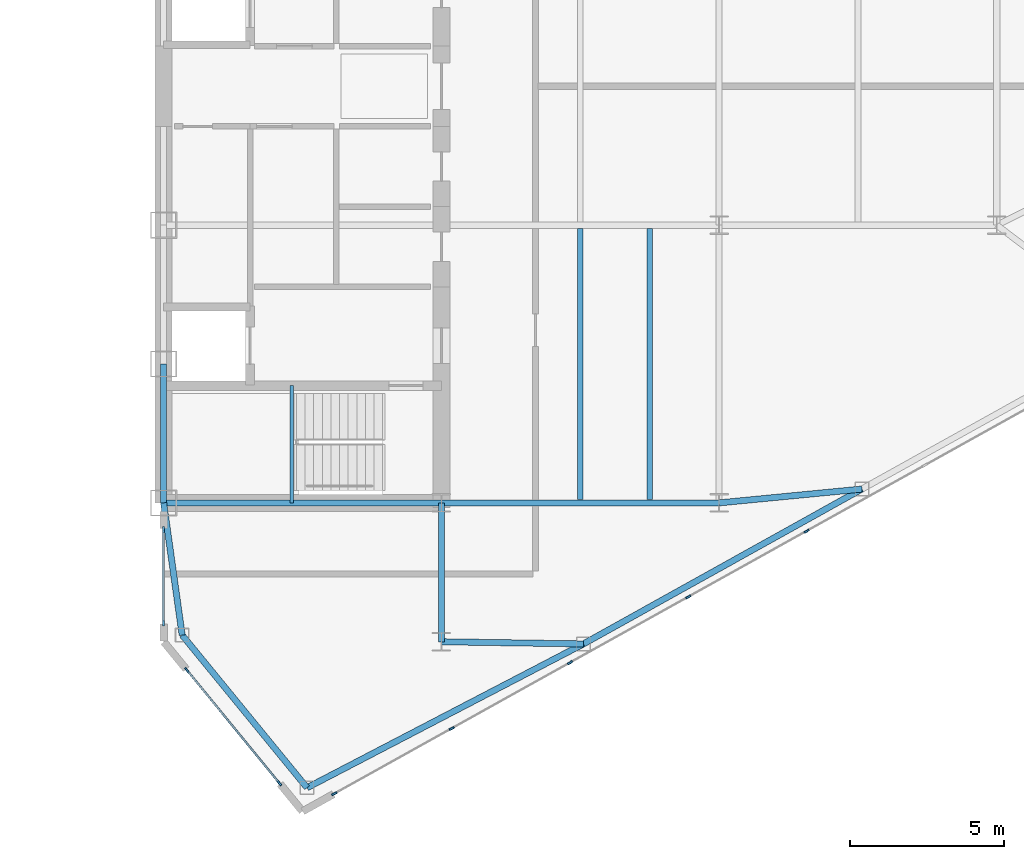
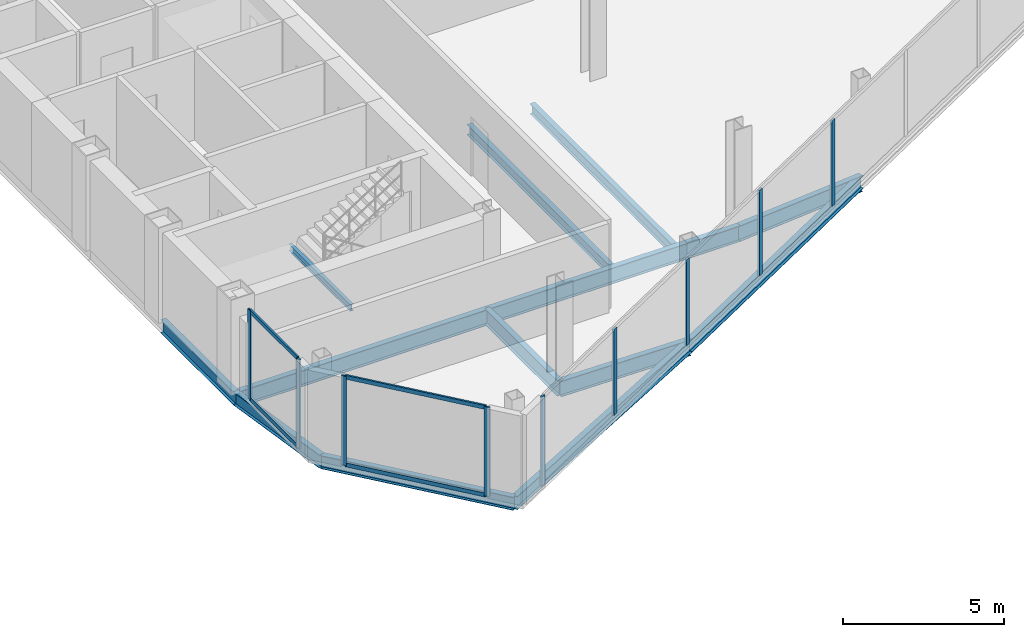
# One storey, part 11 of 26: 13 beams, 13 members, 3 elements without a shape of their own.
"""IFC4 building model written with IfcOpenShell, lengths in metres."""

import ifcopenshell
import ifcopenshell.guid

model = None  # the IFC model being written
_history = None  # IfcOwnerHistory: only IFC2X3 demands one
_inside = {}  # id of a spatial element -> (the spatial element, [elements in it])
_under = {}  # id of a project, library or spatial element -> (it, [spatial elements below it])
_declared = {}  # id of a project -> (the project, [libraries it declares])
_typed = {}  # id of a type object -> (the type object, [elements of that type])
_made_of = {}  # id of a material, layer set ... -> (it, [elements and type objects made of it])


def new_model(schema):
    """Start an empty IFC model of exactly this schema.

    Asked for "IFC4X3", IfcOpenShell would pick the latest addendum, in which some entities
    have other attributes; the version numbers below select the first issue.
    IFC2X3 requires an IfcOwnerHistory on every rooted entity: one is made here for all.
    """
    global model, _history
    if schema == "IFC4X3":
        model = ifcopenshell.file(schema_version=(4, 3, 0, 0))
    else:
        model = ifcopenshell.file(schema=schema)
    _inside.clear()
    _under.clear()
    _declared.clear()
    _typed.clear()
    _made_of.clear()
    _history = None
    if model.schema == "IFC2X3":
        org = make("IfcOrganization", Name="unknown")
        user = make(
            "IfcPersonAndOrganization",
            ThePerson=make("IfcPerson", FamilyName="unknown"),
            TheOrganization=org,
        )
        app = make(
            "IfcApplication",
            ApplicationDeveloper=org,
            Version="unknown",
            ApplicationFullName="unknown",
            ApplicationIdentifier="unknown",
        )
        _history = make(
            "IfcOwnerHistory",
            OwningUser=user,
            OwningApplication=app,
            ChangeAction="ADDED",
            CreationDate=0,
        )
    return model


def make(cls, **values):
    """One entity of the class cls with the attributes given. An attribute that is None is left unset."""
    return model.create_entity(
        cls, **{name: value for name, value in values.items() if value is not None}
    )


def rooted(cls, **values):
    """An entity with a GlobalId (a new one), such as an element, a storey or a relation."""
    return make(cls, GlobalId=ifcopenshell.guid.new(), OwnerHistory=_history, **values)


def si_unit(unit_type, name, prefix=None):
    """IfcSIUnit, for example si_unit("LENGTHUNIT", "METRE", prefix="MILLI")."""
    return make("IfcSIUnit", UnitType=unit_type, Prefix=prefix, Name=name)


def assignment(units):
    """IfcUnitAssignment: the units of a project."""
    return None if units is None else make("IfcUnitAssignment", Units=units)


def point(xyz):
    """IfcCartesianPoint."""
    return None if xyz is None else make("IfcCartesianPoint", Coordinates=xyz)


def direction(xyz):
    """IfcDirection."""
    return None if xyz is None else make("IfcDirection", DirectionRatios=xyz)


def frame(location, z_axis=None, x_axis=None):
    """IfcAxis2Placement3D, a coordinate frame: its origin and axes. An axis left out is left unset."""
    return make(
        "IfcAxis2Placement3D",
        Location=point(location),
        Axis=direction(z_axis),
        RefDirection=direction(x_axis),
    )


def frame_2d(location, x_axis=None):
    """IfcAxis2Placement2D, a coordinate frame in the plane: its origin and x axis."""
    return make(
        "IfcAxis2Placement2D", Location=point(location), RefDirection=direction(x_axis)
    )


def origin():
    """The frame at (0, 0, 0) with its axes left unset."""
    return frame((0.0, 0.0, 0.0))


def origin_2d():
    """The frame at (0, 0) in the plane with its x axis left unset."""
    return frame_2d((0.0, 0.0))


def place(relative_to, where):
    """IfcLocalPlacement: puts the frame where relative to a parent placement (None: the world)."""
    return make(
        "IfcLocalPlacement", PlacementRelTo=relative_to, RelativePlacement=where
    )


def context(
    kind, dimensions, precision=None, world=None, true_north=None, identifier=None
):
    """IfcGeometricRepresentationContext, for example the 3D "Model" context."""
    return make(
        "IfcGeometricRepresentationContext",
        ContextIdentifier=identifier,
        ContextType=kind,
        CoordinateSpaceDimension=dimensions,
        Precision=precision,
        WorldCoordinateSystem=world,
        TrueNorth=true_north,
    )


def subcontext(parent, identifier, kind, view, scale=None):
    """IfcGeometricRepresentationSubContext, for example "Body" below "Model"."""
    return make(
        "IfcGeometricRepresentationSubContext",
        ContextIdentifier=identifier,
        ContextType=kind,
        ParentContext=parent,
        TargetScale=scale,
        TargetView=view,
    )


def project(units=None, contexts=None):
    """IfcProject with its units and contexts."""
    return rooted(
        "IfcProject",
        Name="project",
        RepresentationContexts=contexts,
        UnitsInContext=assignment(units),
    )


def spatial(cls, under=None, at=None, **own):
    """A site, building, storey or space (cls), placed at a placement, below another one or the project."""
    s = rooted(cls, ObjectPlacement=at, **own)
    if under is not None:
        _under.setdefault(under.id(), (under, []))[1].append(s)
    return s


def profile(cls, at=None, kind="AREA", **sizes):
    """A parametric profile (cls). Its sizes go by their IFC names, for example OverallWidth=200.0."""
    return make(cls, ProfileType=kind, Position=at, **sizes)


def rectangle(**sizes):
    """IfcRectangleProfileDef."""
    return profile("IfcRectangleProfileDef", **sizes)


def i_section(**sizes):
    """IfcIShapeProfileDef."""
    return profile("IfcIShapeProfileDef", **sizes)


def extrude(swept, where, along, depth):
    """IfcExtrudedAreaSolid: the profile swept, set in the frame where, extruded along a direction by depth."""
    return make(
        "IfcExtrudedAreaSolid",
        SweptArea=swept,
        Position=where,
        ExtrudedDirection=direction(along),
        Depth=depth,
    )


def shape(context_of_items, identifier, shape_type, items):
    """IfcShapeRepresentation: the items that make up one representation, for example the "Body"."""
    return make(
        "IfcShapeRepresentation",
        ContextOfItems=context_of_items,
        RepresentationIdentifier=identifier,
        RepresentationType=shape_type,
        Items=items,
    )


def source(mapping_origin, context_of_items, identifier, shape_type, items):
    """IfcRepresentationMap: a shape defined once, which mapped items show again and again."""
    return make(
        "IfcRepresentationMap",
        MappingOrigin=mapping_origin,
        MappedRepresentation=shape(context_of_items, identifier, shape_type, items),
    )


def transform(
    local_origin,
    x_axis=None,
    y_axis=None,
    z_axis=None,
    scale=None,
    scale2=None,
    scale3=None,
    uniform=True,
):
    """IfcCartesianTransformationOperator3D, or its non-uniform kind. x_axis, y_axis, z_axis: its Axis1, 2, 3."""
    if uniform:
        return make(
            "IfcCartesianTransformationOperator3D",
            Axis1=direction(x_axis),
            Axis2=direction(y_axis),
            LocalOrigin=point(local_origin),
            Scale=scale,
            Axis3=direction(z_axis),
        )
    return make(
        "IfcCartesianTransformationOperator3DnonUniform",
        Axis1=direction(x_axis),
        Axis2=direction(y_axis),
        LocalOrigin=point(local_origin),
        Scale=scale,
        Axis3=direction(z_axis),
        Scale2=scale2,
        Scale3=scale3,
    )


def mapped(mapping_source, mapping_target):
    """IfcMappedItem: shows the shape of a source again, moved by a transform."""
    return make(
        "IfcMappedItem", MappingSource=mapping_source, MappingTarget=mapping_target
    )


def material(Name=None, Category=None):
    """IfcMaterial."""
    return make("IfcMaterial", Name=Name, Category=Category)


def layer(
    of_material, thickness, ventilated=None, Name=None, Category=None, Priority=None
):
    """IfcMaterialLayer: one layer of a wall or slab, of a material (None: an air gap)."""
    return make(
        "IfcMaterialLayer",
        Material=of_material,
        LayerThickness=thickness,
        IsVentilated=ventilated,
        Name=Name,
        Category=Category,
        Priority=Priority,
    )


def layer_set(layers, Name=None):
    """IfcMaterialLayerSet."""
    return make("IfcMaterialLayerSet", MaterialLayers=layers, LayerSetName=Name)


def material_profile(
    of_material, cross_section, Name=None, Category=None, Priority=None
):
    """IfcMaterialProfile: a cross section and its material."""
    return make(
        "IfcMaterialProfile",
        Name=Name,
        Material=of_material,
        Profile=cross_section,
        Priority=Priority,
        Category=Category,
    )


def profile_set(profiles, Name=None, composite=None):
    """IfcMaterialProfileSet."""
    return make(
        "IfcMaterialProfileSet",
        Name=Name,
        MaterialProfiles=profiles,
        CompositeProfile=composite,
    )


def made_of(thing, what):
    """Note that an element or type object is made of a material, layer set ...; save() writes the relation."""
    if what is not None:
        _made_of.setdefault(what.id(), (what, []))[1].append(thing)
    return thing


def type_object(cls, material=None, **own):
    """A type object (cls), such as IfcWallType, which elements share."""
    return made_of(rooted(cls, **own), material)


def type_shapes(of_type, sources):
    """Give a type object the sources (RepresentationMaps) that its elements show as mapped items."""
    of_type.RepresentationMaps = sources


def element(
    cls,
    number,
    at=None,
    inside=None,
    cuts=None,
    type_object=None,
    material=None,
    context=None,
    identifier="Body",
    shape_type=None,
    held_by="IfcProductDefinitionShape",
    body=None,
    shapes=None,
    **own,
):
    """One element of the class cls, such as IfcWall. Its Tag is "e" and its number.

    at: its placement. inside: the storey or other place that contains it. cuts: it is an
    opening in that element (IfcRelVoidsElement). A single representation is given by context,
    identifier, shape_type and body (its items); several are given by shapes. held_by: the class
    of the entity that holds the representations. save() writes the other relations.
    """
    e = rooted(cls, Tag="e%d" % number, ObjectPlacement=at, **own)
    if body is not None:
        shapes = [shape(context, identifier, shape_type, body)]
    if shapes is not None:
        e.Representation = make(held_by, Representations=shapes)
    if inside is not None:
        _inside.setdefault(inside.id(), (inside, []))[1].append(e)
    if cuts is not None:
        rooted(
            "IfcRelVoidsElement", RelatingBuildingElement=cuts, RelatedOpeningElement=e
        )
    if type_object is not None:
        _typed.setdefault(type_object.id(), (type_object, []))[1].append(e)
    return made_of(e, material)


def aggregate(whole, parts):
    """IfcRelAggregates: a whole, such as a stair, and the parts it consists of."""
    return rooted("IfcRelAggregates", RelatingObject=whole, RelatedObjects=parts)


def save(model, path):
    """Write the relations noted so far, then the file.

    IfcRelAggregates (storeys below a building ...), IfcRelContainedInSpatialStructure (elements
    in a storey), IfcRelDefinesByType, IfcRelAssociatesMaterial and IfcRelDeclares: one each for
    every whole, place, type object, material and project.
    """
    for whole, parts in _under.values():
        aggregate(whole, parts)
    for where, things in _inside.values():
        rooted(
            "IfcRelContainedInSpatialStructure",
            RelatedElements=things,
            RelatingStructure=where,
        )
    for kind, things in _typed.values():
        rooted("IfcRelDefinesByType", RelatedObjects=things, RelatingType=kind)
    for what, things in _made_of.values():
        rooted("IfcRelAssociatesMaterial", RelatedObjects=things, RelatingMaterial=what)
    for by, libraries in _declared.values():
        rooted("IfcRelDeclares", RelatingContext=by, RelatedDefinitions=libraries)
    model.write(path)


model = new_model("IFC4")

# Units and contexts
model_context = context("Model", 3, precision=1e-05, world=origin(), true_north=direction((0.0, 1.0)))
body_context = subcontext(model_context, "Body", "Model", "MODEL_VIEW")
ifc_project = project(units=[si_unit("LENGTHUNIT", "METRE"), si_unit("AREAUNIT", "SQUARE_METRE"), si_unit("VOLUMEUNIT", "CUBIC_METRE"), si_unit("PLANEANGLEUNIT", "RADIAN"), si_unit("MASSUNIT", "GRAM", prefix="KILO")], contexts=[model_context])

# Site, building, storey
site_placement = place(None, origin())
site = spatial("IfcSite", under=ifc_project, at=site_placement, CompositionType="ELEMENT")
building_placement = place(site_placement, origin())
building = spatial("IfcBuilding", under=site, at=building_placement, Name="Seokmaru Belvedere", CompositionType="ELEMENT")
storey_placement = place(building_placement, frame((0.0, 0.0, 181.5)))
storey = spatial("IfcBuildingStorey", under=building, at=storey_placement, Name="L48", CompositionType="ELEMENT", Elevation=181.5)

# Beams
ifc_material_1 = material(Name="Steel SM355 (355 MPa)", Category="steel")
ifc_material_profile_1 = material_profile(ifc_material_1, i_section(OverallWidth=0.199951171875, OverallDepth=0.5, WebThickness=0.010009765625, FlangeThickness=0.01611328125, at=origin_2d()), Name="H-500x200x10x16")
ifc_profile_set_1 = profile_set([ifc_material_profile_1], Name="Steel SM355 (355 MPa)")
beam_type_1 = type_object("IfcBeamType", Name="Perimeter Spandrel Beam H-500", PredefinedType="SPANDREL", material=ifc_profile_set_1)
shared_shape_1 = source(origin(), body_context, "Body", "SweptSolid", [
    extrude(i_section(OverallWidth=0.199951171875, OverallDepth=0.5, WebThickness=0.010009765625, FlangeThickness=0.01611328125, at=origin_2d()), origin(), (0.0, 0.0, 1.0), 4.5),
])
beam_1_placement = place(storey_placement, frame((27.5, -13.5, -0.469970703125), z_axis=(0.0, 1.0, 0.0), x_axis=(-1.0, 0.0, 0.0)))
element("IfcBeam", 1, at=beam_1_placement, inside=storey, type_object=beam_type_1, Name="L48 E Portal Spine Spandrel 1", PredefinedType="SPANDREL", context=body_context, shape_type="MappedRepresentation", body=[
    mapped(shared_shape_1, transform((0.0, 0.0, 0.0), scale=1.0)),
])
ifc_material_profile_2 = material_profile(ifc_material_1, i_section(OverallWidth=0.199951171875, OverallDepth=0.60009765625, WebThickness=0.010986328125, FlangeThickness=0.01708984375, at=origin_2d()), Name="H-600x200x11x17")
ifc_profile_set_2 = profile_set([ifc_material_profile_2], Name="Steel SM355 (355 MPa)")
beam_type_2 = type_object("IfcBeamType", Name="Primary Floor Girder H-600", PredefinedType="BEAM", material=ifc_profile_set_2)
shared_shape_2 = source(origin(), body_context, "Body", "SweptSolid", [
    extrude(i_section(OverallWidth=0.199951171875, OverallDepth=0.60009765625, WebThickness=0.010986328125, FlangeThickness=0.01708984375, at=origin_2d()), origin(), (0.0, 0.0, 1.0), 9.0),
])
for number, where, z_axis, x_axis, name in (
    (2, (27.5, -13.5, -0.52001953125), (1.0, 0.0, 0.0), (0.0, 1.0, 0.0), "L48 E Core Tie Girder 1"),
    (3, (36.5, -13.5, -0.52001953125), (1.0, 0.0, 0.0), (0.0, 1.0, 0.0), "L48 E Wing Primary Girder 1"),
):
    element("IfcBeam", number, at=place(storey_placement, frame(where, z_axis=z_axis, x_axis=x_axis)), inside=storey, type_object=beam_type_2, Name=name, PredefinedType="BEAM", context=body_context, shape_type="MappedRepresentation", body=[
        mapped(shared_shape_2, transform((0.0, 0.0, 0.0), scale=1.0)),
    ])
ifc_material_profile_3 = material_profile(ifc_material_1, i_section(OverallWidth=0.18505859375, OverallDepth=0.389892578125, WebThickness=0.008056640625, FlangeThickness=0.011962890625, at=origin_2d()), Name="H-390x185x8x12")
ifc_profile_set_3 = profile_set([ifc_material_profile_3], Name="Steel SM355 (355 MPa)")
beam_type_3 = type_object("IfcBeamType", Name="Secondary Floor Joist H-350", PredefinedType="JOIST", material=ifc_profile_set_3)
shared_shape_3 = source(origin(), body_context, "Body", "SweptSolid", [
    extrude(i_section(OverallWidth=0.18505859375, OverallDepth=0.389892578125, WebThickness=0.008056640625, FlangeThickness=0.011962890625, at=origin_2d()), origin(), (0.0, 0.0, 1.0), 8.7900390625),
])
type_shapes(beam_type_3, [shared_shape_3])
for number, where, z_axis, x_axis, name in (
    (4, (43.25, -13.39501953125, -0.4150390625), (0.0, 1.0, 0.0), (-1.0, 0.0, 0.0), "L48 E Wing Inner Secondary Joist 1"),
    (5, (41.0, -13.39501953125, -0.4150390625), (0.0, 1.0, 0.0), (-1.0, 0.0, 0.0), "L48 E Secondary Floor Joist 1"),
):
    element("IfcBeam", number, at=place(storey_placement, frame(where, z_axis=z_axis, x_axis=x_axis)), inside=storey, type_object=beam_type_3, Name=name, PredefinedType="JOIST", context=body_context, shape_type="MappedRepresentation", body=[
        mapped(shared_shape_3, transform((0.0, 0.0, 0.0), scale=1.0)),
    ])
shared_shape_4 = source(origin(), body_context, "Body", "SweptSolid", [
    extrude(i_section(OverallWidth=0.199951171875, OverallDepth=0.60009765625, WebThickness=0.010986328125, FlangeThickness=0.01708984375, at=origin_2d()), origin(), (0.0, 0.0, 1.0), 4.5),
])
beam_2_placement = place(storey_placement, frame((36.5, -18.0, -0.52001953125), z_axis=(0.0, 1.0, 0.0), x_axis=(-1.0, 0.0, 0.0)))
element("IfcBeam", 6, at=beam_2_placement, inside=storey, type_object=beam_type_2, Name="L48 E Core Shoulder Girder S", PredefinedType="BEAM", context=body_context, shape_type="MappedRepresentation", body=[
    mapped(shared_shape_4, transform((0.0, 0.0, 0.0), scale=1.0)),
])
shared_shape_5 = source(origin(), body_context, "Body", "SweptSolid", [
    extrude(i_section(OverallWidth=0.199951171875, OverallDepth=0.5, WebThickness=0.010009765625, FlangeThickness=0.01611328125, at=origin_2d()), origin(), (0.0, 0.0, 1.0), 10.09716796875),
])
beam_3_placement = place(storey_placement, frame((32.146728515625, -22.731689453125, -0.469970703125), z_axis=(0.887085728914, 0.461604711369, 0.0), x_axis=(-0.461604711369, 0.887085728914, 0.0)))
element("IfcBeam", 7, at=beam_3_placement, inside=storey, type_object=beam_type_1, Name="L48 E Faceted Flank Spandrel S-1", PredefinedType="SPANDREL", context=body_context, shape_type="MappedRepresentation", body=[
    mapped(shared_shape_5, transform((0.0, 0.0, 0.0), scale=1.0)),
])
shared_shape_6 = source(origin(), body_context, "Body", "SweptSolid", [
    extrude(i_section(OverallWidth=0.199951171875, OverallDepth=0.5, WebThickness=0.010009765625, FlangeThickness=0.01611328125, at=origin_2d()), origin(), (0.0, 0.0, 1.0), 10.327392578125),
])
beam_4_placement = place(storey_placement, frame((41.103759765625, -18.07080078125, -0.469970703125), z_axis=(0.873924120588, 0.486062374037, 0.0), x_axis=(-0.486062374037, 0.873924120588, 0.0)))
element("IfcBeam", 8, at=beam_4_placement, inside=storey, type_object=beam_type_1, Name="L48 E Faceted Flank Spandrel S-2", PredefinedType="SPANDREL", context=body_context, shape_type="MappedRepresentation", body=[
    mapped(shared_shape_6, transform((0.0, 0.0, 0.0), scale=1.0)),
])
shared_shape_7 = source(origin(), body_context, "Body", "SweptSolid", [
    extrude(i_section(OverallWidth=0.199951171875, OverallDepth=0.5, WebThickness=0.010009765625, FlangeThickness=0.01611328125, at=origin_2d()), origin(), (0.0, 0.0, 1.0), 6.390380859375),
])
beam_5_placement = place(storey_placement, frame((32.146728515625, -22.731689453125, -0.469970703125), z_axis=(-0.63324403161, 0.7739521926, 0.0), x_axis=(-0.7739521926, -0.63324403161, 0.0)))
element("IfcBeam", 9, at=beam_5_placement, inside=storey, type_object=beam_type_1, Name="L48 E Shoulder Chamfer Spandrel S", PredefinedType="SPANDREL", context=body_context, shape_type="MappedRepresentation", body=[
    mapped(shared_shape_7, transform((0.0, 0.0, 0.0), scale=1.0)),
])
shared_shape_8 = source(origin(), body_context, "Body", "SweptSolid", [
    extrude(i_section(OverallWidth=0.199951171875, OverallDepth=0.5, WebThickness=0.010009765625, FlangeThickness=0.01611328125, at=origin_2d()), origin(), (0.0, 0.0, 1.0), 4.32763671875),
])
type_shapes(beam_type_1, [shared_shape_1, shared_shape_5, shared_shape_6, shared_shape_7, shared_shape_8])
beam_6_placement = place(storey_placement, frame((28.10009765625, -17.785888671875, -0.469970703125), z_axis=(-0.138664443237, 0.990339422714, 0.0), x_axis=(-0.990339422714, -0.138664443237, 0.0)))
element("IfcBeam", 10, at=beam_6_placement, inside=storey, type_object=beam_type_1, Name="L48 E Shoulder Spine Spandrel S", PredefinedType="SPANDREL", context=body_context, shape_type="MappedRepresentation", body=[
    mapped(shared_shape_8, transform((0.0, 0.0, 0.0), scale=1.0)),
])
shared_shape_9 = source(origin(), body_context, "Body", "SweptSolid", [
    extrude(i_section(OverallWidth=0.199951171875, OverallDepth=0.60009765625, WebThickness=0.010986328125, FlangeThickness=0.01708984375, at=origin_2d()), origin(), (0.0, 0.0, 1.0), 4.604248046875),
])
beam_7_placement = place(storey_placement, frame((41.103759765625, -18.07080078125, -0.52001953125), z_axis=(-0.999881765622, 0.01537708607, 0.0), x_axis=(-0.01537708607, -0.999881765622, 0.0)))
element("IfcBeam", 11, at=beam_7_placement, inside=storey, type_object=beam_type_2, Name="L48 E Flank Radial Floor Girder S-1", PredefinedType="BEAM", context=body_context, shape_type="MappedRepresentation", body=[
    mapped(shared_shape_9, transform((0.0, 0.0, 0.0), scale=1.0)),
])
shared_shape_10 = source(origin(), body_context, "Body", "SweptSolid", [
    extrude(i_section(OverallWidth=0.199951171875, OverallDepth=0.60009765625, WebThickness=0.010986328125, FlangeThickness=0.01708984375, at=origin_2d()), origin(), (0.0, 0.0, 1.0), 4.65087890625),
])
type_shapes(beam_type_2, [shared_shape_2, shared_shape_4, shared_shape_9, shared_shape_10])
beam_8_placement = place(storey_placement, frame((50.129150390625, -13.051025390625, -0.52001953125), z_axis=(-0.995329534874, -0.09653557379, 0.0), x_axis=(0.09653557379, -0.995329534874, 0.0)))
element("IfcBeam", 12, at=beam_8_placement, inside=storey, type_object=beam_type_2, Name="L48 E Flank Radial Floor Girder S-2", PredefinedType="BEAM", context=body_context, shape_type="MappedRepresentation", body=[
    mapped(shared_shape_10, transform((0.0, 0.0, 0.0), scale=1.0)),
])

# Curtain wall, members
ifc_material_2 = material(Name="Bronze Triple Insulating Glass", Category="glass")
ifc_layer = layer(ifc_material_2, 0.179931640625)
ifc_layer_set = layer_set([ifc_layer], Name="Bronze Triple Insulating Glass")
curtain_wall_type = type_object("IfcCurtainWallType", Name="High-Rise Wind-Corner Curtain Wall System CW-5", PredefinedType="NOTDEFINED", material=ifc_layer_set)
curtain_wall_1_placement = place(storey_placement, origin())
curtain_wall_1 = element("IfcCurtainWall", 13, at=curtain_wall_1_placement, inside=storey, type_object=curtain_wall_type, Name="L48 Curtain Wall ESP_1", PredefinedType="NOTDEFINED")
ifc_material_3 = material(Name="Anodised Bronze Aluminium", Category="aluminium")
ifc_material_profile_4 = material_profile(ifc_material_3, rectangle(XDim=0.06494140625, YDim=0.14990234375, at=origin_2d()), Name="CW-T-65x150")
ifc_profile_set_4 = profile_set([ifc_material_profile_4], Name="Anodised Bronze Aluminium")
member_type_1 = type_object("IfcMemberType", Name="Bronze Unitised Transom 65x150", PredefinedType="USERDEFINED", material=ifc_profile_set_4)
shared_shape_11 = source(origin(), body_context, "Body", "SweptSolid", [
    extrude(rectangle(XDim=0.06494140625, YDim=0.14990234375, at=origin_2d()), origin(), (0.0, 0.0, 1.0), 2.969970703125),
])
member_1_placement = place(storey_placement, frame((27.5, -14.39501953125, 0.032470703125), z_axis=(0.0, -1.0, 0.0), x_axis=(1.0, 0.0, 0.0)))
member_1 = element("IfcMember", 14, at=member_1_placement, type_object=member_type_1, Name="CW:L48:ESP_1 Continuous Transom 1", ObjectType="TRANSOM", PredefinedType="USERDEFINED", context=body_context, shape_type="MappedRepresentation", body=[
    mapped(shared_shape_11, transform((0.0, 0.0, 0.0), scale=1.0)),
])
member_2_placement = place(storey_placement, frame((27.5, -14.39501953125, 3.347412109375), z_axis=(0.0, -1.0, 0.0), x_axis=(1.0, 0.0, 0.0)))
member_2 = element("IfcMember", 15, at=member_2_placement, type_object=member_type_1, Name="CW:L48:ESP_1 Continuous Transom 2", ObjectType="TRANSOM", PredefinedType="USERDEFINED", context=body_context, shape_type="MappedRepresentation", body=[
    mapped(shared_shape_11, transform((0.0, 0.0, 0.0), scale=1.0)),
])

curtain_wall_2_placement = place(storey_placement, origin())
curtain_wall_2 = element("IfcCurtainWall", 16, at=curtain_wall_2_placement, inside=storey, type_object=curtain_wall_type, Name="L48 Curtain Wall EF6", PredefinedType="NOTDEFINED")
shared_shape_12 = source(origin(), body_context, "Body", "SweptSolid", [
    extrude(rectangle(XDim=0.06494140625, YDim=0.14990234375, at=origin_2d()), origin(), (0.0, 0.0, 1.0), 4.67626953125),
])
type_shapes(member_type_1, [shared_shape_11, shared_shape_12])
member_3_placement = place(storey_placement, frame((28.269287109375, -18.9404296875, 0.032470703125), z_axis=(0.633277591216, -0.773924733074, 0.0), x_axis=(0.773924733074, 0.633277591216, 0.0)))
member_3 = element("IfcMember", 17, at=member_3_placement, type_object=member_type_1, Name="CW:L48:EF6 Continuous Transom 1", ObjectType="TRANSOM", PredefinedType="USERDEFINED", context=body_context, shape_type="MappedRepresentation", body=[
    mapped(shared_shape_12, transform((0.0, 0.0, 0.0), scale=1.0)),
])
member_4_placement = place(storey_placement, frame((28.269287109375, -18.9404296875, 3.347412109375), z_axis=(0.633277591216, -0.773924733074, 0.0), x_axis=(0.773924733074, 0.633277591216, 0.0)))
member_4 = element("IfcMember", 18, at=member_4_placement, type_object=member_type_1, Name="CW:L48:EF6 Continuous Transom 2", ObjectType="TRANSOM", PredefinedType="USERDEFINED", context=body_context, shape_type="MappedRepresentation", body=[
    mapped(shared_shape_12, transform((0.0, 0.0, 0.0), scale=1.0)),
])

# Curtain wall, member
curtain_wall_3_placement = place(storey_placement, origin())
curtain_wall_3 = element("IfcCurtainWall", 19, at=curtain_wall_3_placement, inside=storey, type_object=curtain_wall_type, Name="L48 Curtain Wall EF1", PredefinedType="NOTDEFINED")
ifc_material_profile_5 = material_profile(ifc_material_3, rectangle(XDim=0.06494140625, YDim=0.179931640625, at=origin_2d()), Name="CW-M-65x180")
ifc_profile_set_5 = profile_set([ifc_material_profile_5], Name="Anodised Bronze Aluminium")
member_type_2 = type_object("IfcMemberType", Name="Bronze Unitised Mullion 65x180", PredefinedType="MULLION", material=ifc_profile_set_5)
shared_shape_13 = source(origin(), body_context, "Body", "SweptSolid", [
    extrude(rectangle(XDim=0.06494140625, YDim=0.179931640625, at=origin_2d()), origin(), (0.0, 0.0, 1.0), 3.3798828125),
])
member_5_placement = place(storey_placement, frame((33.033447265625, -22.92529296875, 0.0), z_axis=(0.0, 0.0, 1.0), x_axis=(-0.486047125147, 0.873932601598, 0.0)))
member_5 = element("IfcMember", 20, at=member_5_placement, type_object=member_type_2, Name="CW:L48:EF1 Mullion 1", PredefinedType="MULLION", context=body_context, shape_type="MappedRepresentation", body=[
    mapped(shared_shape_13, transform((0.0, 0.0, 0.0), scale=1.0)),
])

# Member
member_6_placement = place(storey_placement, frame((27.5, -14.362548828125, 0.0), z_axis=(0.0, 0.0, 1.0), x_axis=(1.0, 0.0, 0.0)))
member_6 = element("IfcMember", 21, at=member_6_placement, type_object=member_type_2, Name="CW:L48:ESP_1 Mullion 1", PredefinedType="MULLION", context=body_context, shape_type="MappedRepresentation", body=[
    mapped(shared_shape_13, transform((0.0, 0.0, 0.0), scale=1.0)),
])

member_7_placement = place(storey_placement, frame((27.5, -17.3974609375, 0.0), z_axis=(0.0, 0.0, 1.0), x_axis=(1.0, 0.0, 0.0)))
member_7 = element("IfcMember", 22, at=member_7_placement, type_object=member_type_2, Name="CW:L48:ESP_1 Mullion 2", PredefinedType="MULLION", context=body_context, shape_type="MappedRepresentation", body=[
    mapped(shared_shape_13, transform((0.0, 0.0, 0.0), scale=1.0)),
])

aggregate(curtain_wall_1, [member_6, member_7, member_1, member_2])

member_8_placement = place(storey_placement, frame((28.248779296875, -18.915283203125, 0.0), z_axis=(0.0, 0.0, 1.0), x_axis=(0.773944112379, 0.633253907144, 0.0)))
member_8 = element("IfcMember", 23, at=member_8_placement, type_object=member_type_2, Name="CW:L48:EF6 Mullion 1", PredefinedType="MULLION", context=body_context, shape_type="MappedRepresentation", body=[
    mapped(shared_shape_13, transform((0.0, 0.0, 0.0), scale=1.0)),
])

member_9_placement = place(storey_placement, frame((31.251220703125, -22.584716796875, 0.0), z_axis=(0.0, 0.0, 1.0), x_axis=(0.773944112379, 0.633253907144, 0.0)))
member_9 = element("IfcMember", 24, at=member_9_placement, type_object=member_type_2, Name="CW:L48:EF6 Mullion 2", PredefinedType="MULLION", context=body_context, shape_type="MappedRepresentation", body=[
    mapped(shared_shape_13, transform((0.0, 0.0, 0.0), scale=1.0)),
])

aggregate(curtain_wall_2, [member_8, member_9, member_3, member_4])

shared_shape_14 = source(origin(), body_context, "Body", "SweptSolid", [
    extrude(rectangle(XDim=0.06494140625, YDim=0.179931640625, at=origin_2d()), origin(), (0.0, 0.0, 1.0), 3.25),
])
type_shapes(member_type_2, [shared_shape_13, shared_shape_14])
member_10_placement = place(storey_placement, frame((36.837158203125, -20.809814453125, 0.06494140625), z_axis=(0.0, 0.0, 1.0), x_axis=(-0.486047125147, 0.873932601598, 0.0)))
member_10 = element("IfcMember", 25, at=member_10_placement, type_object=member_type_2, Name="CW:L48:EF1 Mullion 2", PredefinedType="MULLION", context=body_context, shape_type="MappedRepresentation", body=[
    mapped(shared_shape_14, transform((0.0, 0.0, 0.0), scale=1.0)),
])

member_11_placement = place(storey_placement, frame((40.66943359375, -18.67822265625, 0.06494140625), z_axis=(0.0, 0.0, 1.0), x_axis=(-0.486047125147, 0.873932601598, 0.0)))
member_11 = element("IfcMember", 26, at=member_11_placement, type_object=member_type_2, Name="CW:L48:EF1 Mullion 3", PredefinedType="MULLION", context=body_context, shape_type="MappedRepresentation", body=[
    mapped(shared_shape_14, transform((0.0, 0.0, 0.0), scale=1.0)),
])

member_12_placement = place(storey_placement, frame((44.501708984375, -16.547119140625, 0.06494140625), z_axis=(0.0, 0.0, 1.0), x_axis=(-0.486047125147, 0.873932601598, 0.0)))
member_12 = element("IfcMember", 27, at=member_12_placement, type_object=member_type_2, Name="CW:L48:EF1 Mullion 4", PredefinedType="MULLION", context=body_context, shape_type="MappedRepresentation", body=[
    mapped(shared_shape_14, transform((0.0, 0.0, 0.0), scale=1.0)),
])

member_13_placement = place(storey_placement, frame((48.333984375, -14.415771484375, 0.06494140625), z_axis=(0.0, 0.0, 1.0), x_axis=(-0.486047125147, 0.873932601598, 0.0)))
member_13 = element("IfcMember", 28, at=member_13_placement, type_object=member_type_2, Name="CW:L48:EF1 Mullion 5", PredefinedType="MULLION", context=body_context, shape_type="MappedRepresentation", body=[
    mapped(shared_shape_14, transform((0.0, 0.0, 0.0), scale=1.0)),
])

aggregate(curtain_wall_3, [member_5, member_10, member_11, member_12, member_13])

# Beam
ifc_material_profile_6 = material_profile(ifc_material_1, i_section(OverallWidth=0.125, OverallDepth=0.25, WebThickness=0.006103515625, FlangeThickness=0.009033203125, at=origin_2d()), Name="H-250x125x6x9")
ifc_profile_set_6 = profile_set([ifc_material_profile_6], Name="Steel SM355 (355 MPa)")
beam_type_4 = type_object("IfcBeamType", Name="Stair Mid-Landing Support Beam H-250", PredefinedType="JOIST", material=ifc_profile_set_6)
shared_shape_15 = source(origin(), body_context, "Body", "SweptSolid", [
    extrude(i_section(OverallWidth=0.125, OverallDepth=0.25, WebThickness=0.006103515625, FlangeThickness=0.009033203125, at=origin_2d()), origin(), (0.0, 0.0, 1.0), 3.800048828125),
])
type_shapes(beam_type_4, [shared_shape_15])
beam_9_placement = place(storey_placement, frame((31.64990234375, -13.5, 1.47509765625), z_axis=(0.0, 1.0, 0.0), x_axis=(-1.0, 0.0, 0.0)))
element("IfcBeam", 29, at=beam_9_placement, inside=storey, type_object=beam_type_4, Name="L48 Stair ST-E1 Mid-Landing Support Beam 1", PredefinedType="JOIST", context=body_context, shape_type="MappedRepresentation", body=[
    mapped(shared_shape_15, transform((0.0, 0.0, 0.0), scale=1.0)),
])

save(model, "model.ifc")
